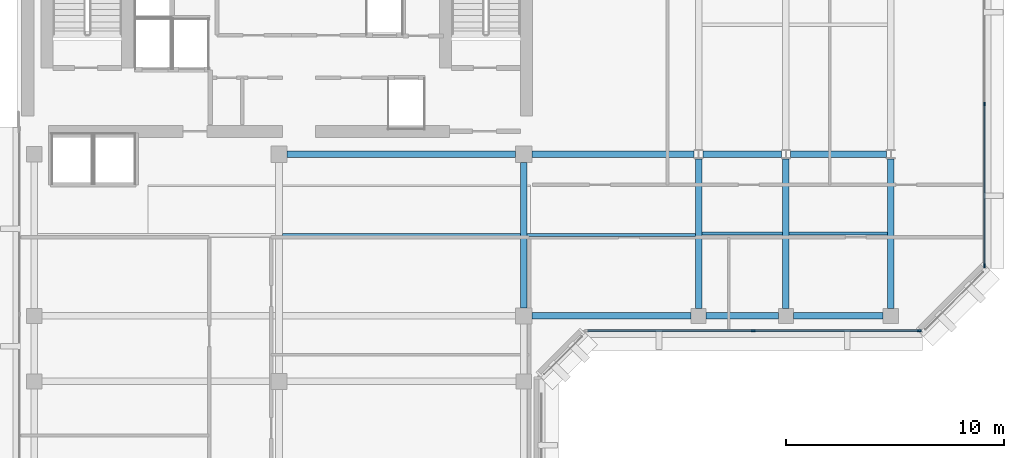
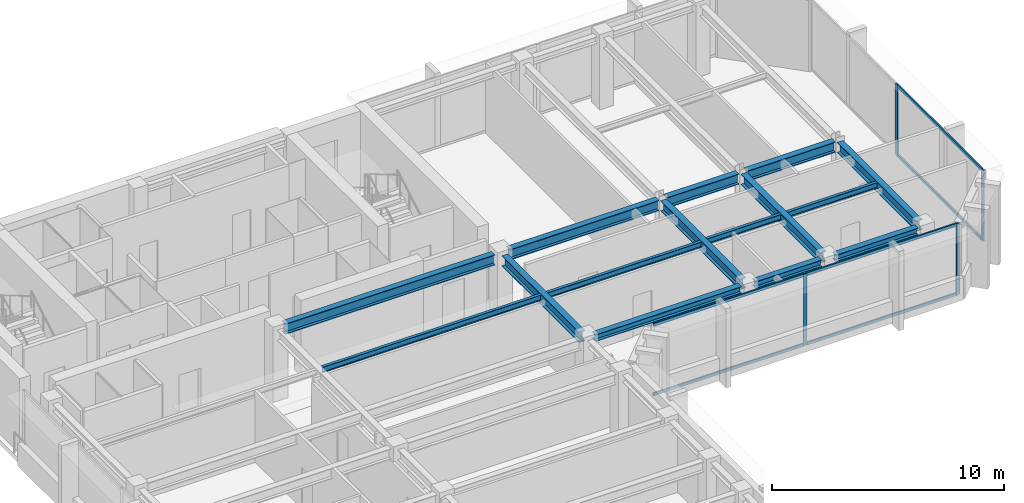
# One storey, part 3 of 11: 15 beams, 10 members, 2 elements without a shape of their own.
"""IFC4 building model written with IfcOpenShell, lengths in metres."""

from ifc_helpers import new_model, si_unit, direction, frame, origin, origin_2d, place, context, subcontext, project, spatial, rectangle, i_section, extrude, material, layer, layer_set, material_profile, profile_set, type_object, element, aggregate, save


model = new_model("IFC4")

# Units and contexts
model_context = context("Model", 3, precision=1e-05, world=origin(), true_north=direction((0.0, 1.0)))
body_context = subcontext(model_context, "Body", "Model", "MODEL_VIEW")
ifc_project = project(units=[si_unit("LENGTHUNIT", "METRE"), si_unit("AREAUNIT", "SQUARE_METRE"), si_unit("VOLUMEUNIT", "CUBIC_METRE"), si_unit("PLANEANGLEUNIT", "RADIAN"), si_unit("MASSUNIT", "GRAM", prefix="KILO")], contexts=[model_context])

# Site, building, storey
site_placement = place(None, origin())
site = spatial("IfcSite", under=ifc_project, at=site_placement, CompositionType="ELEMENT")
building_placement = place(site_placement, origin())
building = spatial("IfcBuilding", under=site, at=building_placement, Name="Kefirva Bronze Tower", CompositionType="ELEMENT")
storey_placement = place(building_placement, frame((0.0, 0.0, 299.969970703125)))
storey = spatial("IfcBuildingStorey", under=building, at=storey_placement, Name="L73", CompositionType="ELEMENT", Elevation=299.969970703125)

# Curtain wall, members
ifc_material_1 = material(Name="Bronze anodised aluminium", Category="aluminium")
ifc_layer = layer(ifc_material_1, 0.179931640625, Name="Bronze anodised aluminium")
ifc_layer_set = layer_set([ifc_layer], Name="Bronze anodised aluminium")
curtain_wall_type = type_object("IfcCurtainWallType", Name="Unitised Bronze Ribbon Curtain Wall Zone 4", PredefinedType="USERDEFINED", material=ifc_layer_set)
curtain_wall_1_placement = place(storey_placement, origin())
curtain_wall_1 = element("IfcCurtainWall", 1, at=curtain_wall_1_placement, inside=storey, type_object=curtain_wall_type, Name="L73 Curtain Wall 2", ObjectType="UNITISED CURTAIN WALL", PredefinedType="USERDEFINED")
ifc_material_profile_1 = material_profile(ifc_material_1, rectangle(XDim=0.074951171875, YDim=0.179931640625, at=origin_2d()), Name="ALU 75x180")
ifc_profile_set_1 = profile_set([ifc_material_profile_1], Name="Bronze anodised aluminium")
member_type_1 = type_object("IfcMemberType", Name="Bronze Mullion 75x180", PredefinedType="MULLION", material=ifc_profile_set_1)
member_1_placement = place(storey_placement, frame((33.699951171875, 25.1201171875, 0.0), z_axis=(0.0, 0.0, 1.0), x_axis=(0.0, 1.0, 0.0)))
member_1 = element("IfcMember", 2, at=member_1_placement, type_object=member_type_1, Name="CW-04 mullion 2", PredefinedType="MULLION", context=body_context, shape_type="SweptSolid", body=[
    extrude(rectangle(XDim=0.074951171875, YDim=0.179931640625, at=origin_2d()), origin(), (0.0, 0.0, 1.0), 3.739990234375),
])
member_2_placement = place(storey_placement, frame((41.3076171875, 25.1201171875, 0.0), z_axis=(0.0, 0.0, 1.0), x_axis=(0.0, 1.0, 0.0)))
member_2 = element("IfcMember", 3, at=member_2_placement, type_object=member_type_1, Name="CW-04 mullion 3", PredefinedType="MULLION", context=body_context, shape_type="SweptSolid", body=[
    extrude(rectangle(XDim=0.074951171875, YDim=0.179931640625, at=origin_2d()), origin(), (0.0, 0.0, 1.0), 3.739990234375),
])

curtain_wall_2_placement = place(storey_placement, origin())
curtain_wall_2 = element("IfcCurtainWall", 4, at=curtain_wall_2_placement, inside=storey, type_object=curtain_wall_type, Name="L73 Curtain Wall 3", ObjectType="UNITISED CURTAIN WALL", PredefinedType="USERDEFINED")
member_3_placement = place(storey_placement, frame((44.280029296875, 28.092529296875, 0.0), z_axis=(0.0, 0.0, 1.0), x_axis=(-1.0, 0.0, 0.0)))
member_3 = element("IfcMember", 5, at=member_3_placement, type_object=member_type_1, Name="CW-04 mullion 1", PredefinedType="MULLION", context=body_context, shape_type="SweptSolid", body=[
    extrude(rectangle(XDim=0.074951171875, YDim=0.179931640625, at=origin_2d()), origin(), (0.0, 0.0, 1.0), 3.739990234375),
])
member_4_placement = place(storey_placement, frame((44.280029296875, 35.5, 0.0), z_axis=(0.0, 0.0, 1.0), x_axis=(-1.0, 0.0, 0.0)))
member_4 = element("IfcMember", 6, at=member_4_placement, type_object=member_type_1, Name="CW-04 mullion 2", PredefinedType="MULLION", context=body_context, shape_type="SweptSolid", body=[
    extrude(rectangle(XDim=0.074951171875, YDim=0.179931640625, at=origin_2d()), origin(), (0.0, 0.0, 1.0), 3.739990234375),
])

# Member
ifc_material_profile_2 = material_profile(ifc_material_1, rectangle(XDim=0.074951171875, YDim=0.14990234375, at=origin_2d()), Name="ALU 75x150")
ifc_profile_set_2 = profile_set([ifc_material_profile_2], Name="Bronze anodised aluminium")
member_type_2 = type_object("IfcMemberType", Name="Bronze Transom 75x150", PredefinedType="USERDEFINED", material=ifc_profile_set_2)
member_5_placement = place(storey_placement, frame((26.1298828125, 25.1201171875, 0.03759765625), z_axis=(1.0, 0.0, 0.0), x_axis=(0.0, 1.0, 0.0)))
member_5 = element("IfcMember", 7, at=member_5_placement, type_object=member_type_2, Name="CW-04 transom 1.1", ObjectType="TRANSOM", PredefinedType="USERDEFINED", context=body_context, shape_type="SweptSolid", body=[
    extrude(rectangle(XDim=0.074951171875, YDim=0.14990234375, at=origin_2d()), origin(), (0.0, 0.0, 1.0), 7.53271484375),
])

member_6_placement = place(storey_placement, frame((26.1298828125, 25.1201171875, 3.70263671875), z_axis=(1.0, 0.0, 0.0), x_axis=(0.0, 1.0, 0.0)))
member_6 = element("IfcMember", 8, at=member_6_placement, type_object=member_type_2, Name="CW-04 transom 1.2", ObjectType="TRANSOM", PredefinedType="USERDEFINED", context=body_context, shape_type="SweptSolid", body=[
    extrude(rectangle(XDim=0.074951171875, YDim=0.14990234375, at=origin_2d()), origin(), (0.0, 0.0, 1.0), 7.53271484375),
])

member_7_placement = place(storey_placement, frame((33.737548828125, 25.1201171875, 0.03759765625), z_axis=(1.0, 0.0, 0.0), x_axis=(0.0, 1.0, 0.0)))
member_7 = element("IfcMember", 9, at=member_7_placement, type_object=member_type_2, Name="CW-04 transom 2.1", ObjectType="TRANSOM", PredefinedType="USERDEFINED", context=body_context, shape_type="SweptSolid", body=[
    extrude(rectangle(XDim=0.074951171875, YDim=0.14990234375, at=origin_2d()), origin(), (0.0, 0.0, 1.0), 7.532470703125),
])

member_8_placement = place(storey_placement, frame((33.737548828125, 25.1201171875, 3.70263671875), z_axis=(1.0, 0.0, 0.0), x_axis=(0.0, 1.0, 0.0)))
member_8 = element("IfcMember", 10, at=member_8_placement, type_object=member_type_2, Name="CW-04 transom 2.2", ObjectType="TRANSOM", PredefinedType="USERDEFINED", context=body_context, shape_type="SweptSolid", body=[
    extrude(rectangle(XDim=0.074951171875, YDim=0.14990234375, at=origin_2d()), origin(), (0.0, 0.0, 1.0), 7.532470703125),
])

aggregate(curtain_wall_1, [member_1, member_2, member_5, member_6, member_7, member_8])

member_9_placement = place(storey_placement, frame((44.280029296875, 28.1298828125, 0.03759765625), z_axis=(0.0, 1.0, 0.0), x_axis=(-1.0, 0.0, 0.0)))
member_9 = element("IfcMember", 11, at=member_9_placement, type_object=member_type_2, Name="CW-04 transom 1.1", ObjectType="TRANSOM", PredefinedType="USERDEFINED", context=body_context, shape_type="SweptSolid", body=[
    extrude(rectangle(XDim=0.074951171875, YDim=0.14990234375, at=origin_2d()), origin(), (0.0, 0.0, 1.0), 7.33251953125),
])

member_10_placement = place(storey_placement, frame((44.280029296875, 28.1298828125, 3.70263671875), z_axis=(0.0, 1.0, 0.0), x_axis=(-1.0, 0.0, 0.0)))
member_10 = element("IfcMember", 12, at=member_10_placement, type_object=member_type_2, Name="CW-04 transom 1.2", ObjectType="TRANSOM", PredefinedType="USERDEFINED", context=body_context, shape_type="SweptSolid", body=[
    extrude(rectangle(XDim=0.074951171875, YDim=0.14990234375, at=origin_2d()), origin(), (0.0, 0.0, 1.0), 7.33251953125),
])

aggregate(curtain_wall_2, [member_3, member_4, member_9, member_10])

# Beams
ifc_material_2 = material(Name="Steel S355", Category="steel")
ifc_material_profile_3 = material_profile(ifc_material_2, i_section(OverallWidth=0.14990234375, OverallDepth=0.300048828125, WebThickness=0.007080078125, FlangeThickness=0.0107421875, at=origin_2d()), Name="IPE 300")
ifc_profile_set_3 = profile_set([ifc_material_profile_3], Name="Steel S355")
beam_type_1 = type_object("IfcBeamType", Name="Steel Floor Joist IPE 300", PredefinedType="JOIST", material=ifc_profile_set_3)
beam_1_placement = place(storey_placement, frame((12.14990234375, 29.5, 3.590087890625), z_axis=(1.0, 0.0, 0.0), x_axis=(0.0, 1.0, 0.0)))
element("IfcBeam", 13, at=beam_1_placement, inside=storey, type_object=beam_type_1, Name="L73 JST-L73-12-295", PredefinedType="JOIST", context=body_context, shape_type="SweptSolid", body=[
    extrude(i_section(OverallWidth=0.14990234375, OverallDepth=0.300048828125, WebThickness=0.007080078125, FlangeThickness=0.0107421875, at=origin_2d()), origin(), (0.0, 0.0, 1.0), 10.900146484375),
])
beam_2_placement = place(storey_placement, frame((23.35009765625, 29.5, 3.590087890625), z_axis=(1.0, 0.0, 0.0), x_axis=(0.0, 1.0, 0.0)))
element("IfcBeam", 14, at=beam_2_placement, inside=storey, type_object=beam_type_1, Name="L73 JST-L73-23-295", PredefinedType="JOIST", context=body_context, shape_type="SweptSolid", body=[
    extrude(i_section(OverallWidth=0.14990234375, OverallDepth=0.300048828125, WebThickness=0.007080078125, FlangeThickness=0.0107421875, at=origin_2d()), origin(), (0.0, 0.0, 1.0), 7.699951171875),
])
beam_3_placement = place(storey_placement, frame((31.35009765625, 29.571044921875, 3.590087890625), z_axis=(1.0, 0.0, 0.0), x_axis=(0.0, 1.0, 0.0)))
element("IfcBeam", 15, at=beam_3_placement, inside=storey, type_object=beam_type_1, Name="L73 JST-L73-31-295", PredefinedType="JOIST", context=body_context, shape_type="SweptSolid", body=[
    extrude(i_section(OverallWidth=0.14990234375, OverallDepth=0.300048828125, WebThickness=0.007080078125, FlangeThickness=0.0107421875, at=origin_2d()), origin(), (0.0, 0.0, 1.0), 3.699951171875),
])
beam_4_placement = place(storey_placement, frame((35.35009765625, 29.571044921875, 3.590087890625), z_axis=(1.0, 0.0, 0.0), x_axis=(0.0, 1.0, 0.0)))
element("IfcBeam", 16, at=beam_4_placement, inside=storey, type_object=beam_type_1, Name="L73 JST-L73-35-295", PredefinedType="JOIST", context=body_context, shape_type="SweptSolid", body=[
    extrude(i_section(OverallWidth=0.14990234375, OverallDepth=0.300048828125, WebThickness=0.007080078125, FlangeThickness=0.0107421875, at=origin_2d()), origin(), (0.0, 0.0, 1.0), 4.5),
])
ifc_material_profile_4 = material_profile(ifc_material_2, i_section(OverallWidth=0.300048828125, OverallDepth=0.550048828125, WebThickness=0.014892578125, FlangeThickness=0.029052734375, at=origin_2d()), Name="HEB 550")
ifc_profile_set_4 = profile_set([ifc_material_profile_4], Name="Steel S355")
beam_type_2 = type_object("IfcBeamType", Name="Steel Girder HEB 550", PredefinedType="USERDEFINED", material=ifc_profile_set_4)
beam_5_placement = place(storey_placement, frame((12.3701171875, 33.199951171875, 3.465087890625), z_axis=(1.0, 0.0, 0.0), x_axis=(0.0, 1.0, 0.0)))
element("IfcBeam", 17, at=beam_5_placement, inside=storey, type_object=beam_type_2, Name="L73 BM-L73-EW-12-332", ObjectType="GIRDER", PredefinedType="USERDEFINED", context=body_context, shape_type="SweptSolid", body=[
    extrude(i_section(OverallWidth=0.300048828125, OverallDepth=0.550048828125, WebThickness=0.014892578125, FlangeThickness=0.029052734375, at=origin_2d()), origin(), (0.0, 0.0, 1.0), 10.4599609375),
])
beam_6_placement = place(storey_placement, frame((23.570068359375, 33.199951171875, 3.465087890625), z_axis=(1.0, 0.0, 0.0), x_axis=(0.0, 1.0, 0.0)))
element("IfcBeam", 18, at=beam_6_placement, inside=storey, type_object=beam_type_2, Name="L73 BM-L73-EW-23-332", ObjectType="GIRDER", PredefinedType="USERDEFINED", context=body_context, shape_type="SweptSolid", body=[
    extrude(i_section(OverallWidth=0.300048828125, OverallDepth=0.550048828125, WebThickness=0.014892578125, FlangeThickness=0.029052734375, at=origin_2d()), origin(), (0.0, 0.0, 1.0), 7.427001953125),
])
beam_7_placement = place(storey_placement, frame((31.403076171875, 33.199951171875, 3.465087890625), z_axis=(1.0, 0.0, 0.0), x_axis=(0.0, 1.0, 0.0)))
element("IfcBeam", 19, at=beam_7_placement, inside=storey, type_object=beam_type_2, Name="L73 BM-L73-EW-31-332", ObjectType="GIRDER", PredefinedType="USERDEFINED", context=body_context, shape_type="SweptSolid", body=[
    extrude(i_section(OverallWidth=0.300048828125, OverallDepth=0.550048828125, WebThickness=0.014892578125, FlangeThickness=0.029052734375, at=origin_2d()), origin(), (0.0, 0.0, 1.0), 3.593994140625),
])
beam_8_placement = place(storey_placement, frame((35.403076171875, 33.199951171875, 3.465087890625), z_axis=(1.0, 0.0, 0.0), x_axis=(0.0, 1.0, 0.0)))
element("IfcBeam", 20, at=beam_8_placement, inside=storey, type_object=beam_type_2, Name="L73 BM-L73-EW-35-332", ObjectType="GIRDER", PredefinedType="USERDEFINED", context=body_context, shape_type="SweptSolid", body=[
    extrude(i_section(OverallWidth=0.300048828125, OverallDepth=0.550048828125, WebThickness=0.014892578125, FlangeThickness=0.029052734375, at=origin_2d()), origin(), (0.0, 0.0, 1.0), 4.39404296875),
])
beam_9_placement = place(storey_placement, frame((23.199951171875, 26.169921875, 3.465087890625), z_axis=(0.0, 1.0, 0.0), x_axis=(-1.0, 0.0, 0.0)))
element("IfcBeam", 21, at=beam_9_placement, inside=storey, type_object=beam_type_2, Name="L73 BM-L73-NS-232-25", ObjectType="GIRDER", PredefinedType="USERDEFINED", context=body_context, shape_type="SweptSolid", body=[
    extrude(i_section(OverallWidth=0.300048828125, OverallDepth=0.550048828125, WebThickness=0.014892578125, FlangeThickness=0.029052734375, at=origin_2d()), origin(), (0.0, 0.0, 1.0), 6.66015625),
])
for number, where, z_axis, x_axis, name in (
    (22, (31.199951171875, 26.14990234375, 3.465087890625), (0.0, 1.0, 0.0), (-1.0, 0.0, 0.0), "L73 BM-L73-NS-312-25"),
    (23, (35.199951171875, 26.14990234375, 3.465087890625), (0.0, 1.0, 0.0), (-1.0, 0.0, 0.0), "L73 BM-L73-NS-352-25"),
    (24, (40.0, 26.14990234375, 3.465087890625), (0.0, 1.0, 0.0), (-1.0, 0.0, 0.0), "L73 BM-L73-NS-400-25"),
):
    element("IfcBeam", number, at=place(storey_placement, frame(where, z_axis=z_axis, x_axis=x_axis)), inside=storey, type_object=beam_type_2, Name=name, ObjectType="GIRDER", PredefinedType="USERDEFINED", context=body_context, shape_type="SweptSolid", body=[
        extrude(i_section(OverallWidth=0.300048828125, OverallDepth=0.550048828125, WebThickness=0.014892578125, FlangeThickness=0.029052734375, at=origin_2d()), origin(), (0.0, 0.0, 1.0), 6.842041015625),
    ])
ifc_material_profile_5 = material_profile(ifc_material_2, i_section(OverallWidth=0.300048828125, OverallDepth=0.360107421875, WebThickness=0.012451171875, FlangeThickness=0.0224609375, at=origin_2d()), Name="HEB 360")
ifc_profile_set_5 = profile_set([ifc_material_profile_5], Name="Steel S355")
beam_type_3 = type_object("IfcBeamType", Name="Steel Spandrel HEB 360 Ext", PredefinedType="SPANDREL", material=ifc_profile_set_5)
beam_10_placement = place(storey_placement, frame((23.570068359375, 25.800048828125, 3.56005859375), z_axis=(1.0, 0.0, 0.0), x_axis=(0.0, 1.0, 0.0)))
element("IfcBeam", 25, at=beam_10_placement, inside=storey, type_object=beam_type_3, Name="L73 BM-L73-EW-23-258", PredefinedType="SPANDREL", context=body_context, shape_type="SweptSolid", body=[
    extrude(i_section(OverallWidth=0.300048828125, OverallDepth=0.360107421875, WebThickness=0.012451171875, FlangeThickness=0.0224609375, at=origin_2d()), origin(), (0.0, 0.0, 1.0), 7.280029296875),
])
beam_11_placement = place(storey_placement, frame((31.550048828125, 25.800048828125, 3.56005859375), z_axis=(1.0, 0.0, 0.0), x_axis=(0.0, 1.0, 0.0)))
element("IfcBeam", 26, at=beam_11_placement, inside=storey, type_object=beam_type_3, Name="L73 BM-L73-EW-31-258", PredefinedType="SPANDREL", context=body_context, shape_type="SweptSolid", body=[
    extrude(i_section(OverallWidth=0.300048828125, OverallDepth=0.360107421875, WebThickness=0.012451171875, FlangeThickness=0.0224609375, at=origin_2d()), origin(), (0.0, 0.0, 1.0), 3.300048828125),
])
beam_12_placement = place(storey_placement, frame((35.550048828125, 25.800048828125, 3.56005859375), z_axis=(1.0, 0.0, 0.0), x_axis=(0.0, 1.0, 0.0)))
element("IfcBeam", 27, at=beam_12_placement, inside=storey, type_object=beam_type_3, Name="L73 BM-L73-EW-35-258", PredefinedType="SPANDREL", context=body_context, shape_type="SweptSolid", body=[
    extrude(i_section(OverallWidth=0.300048828125, OverallDepth=0.360107421875, WebThickness=0.012451171875, FlangeThickness=0.0224609375, at=origin_2d()), origin(), (0.0, 0.0, 1.0), 4.099853515625),
])

save(model, "model.ifc")
